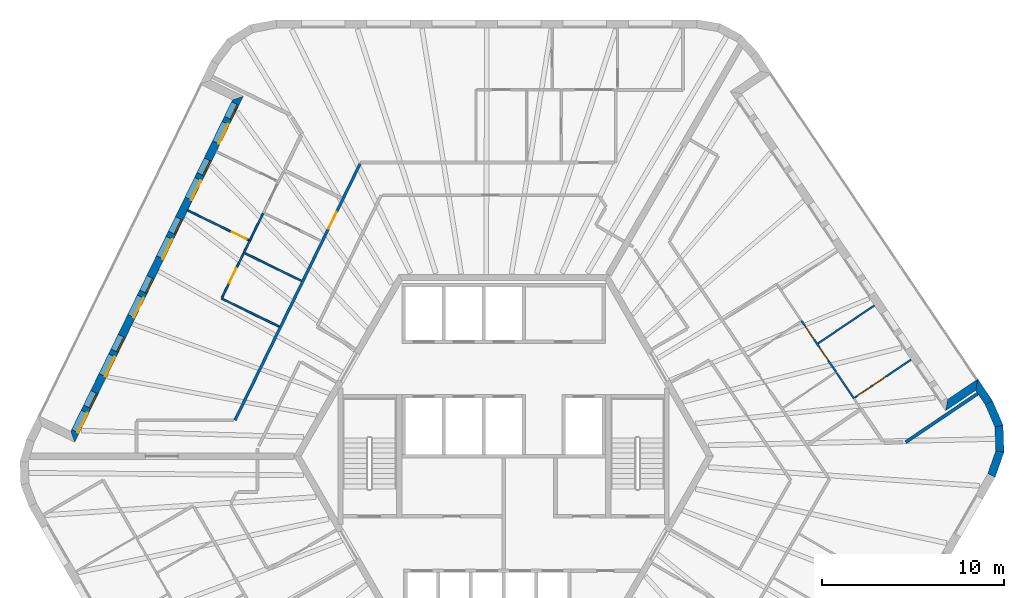
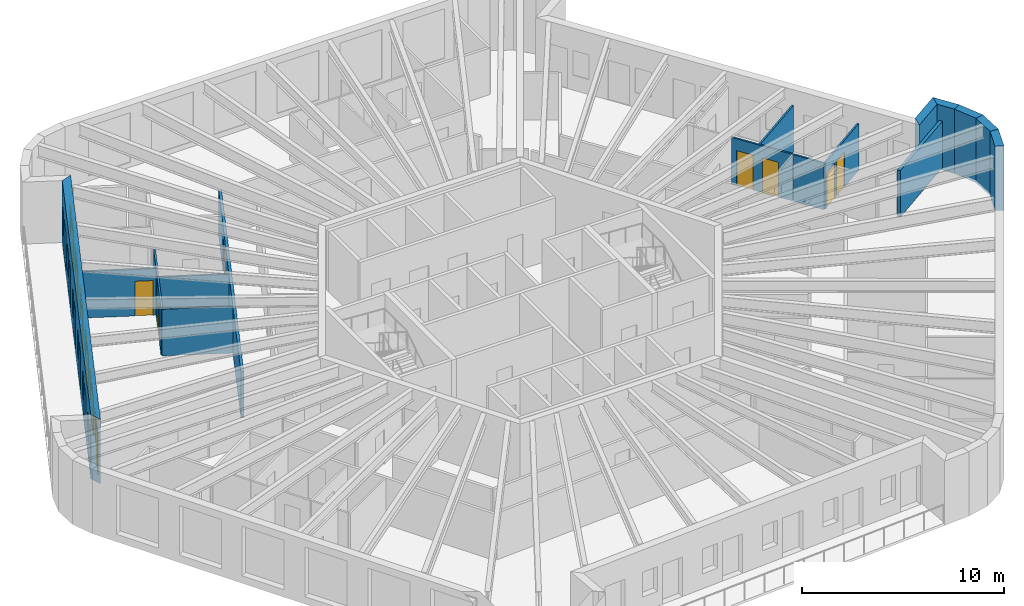
# One storey, part 7 of 11: 18 walls, 13 doors, 6 windows, 19 openings.
"""IFC4 building model written with IfcOpenShell, lengths in metres."""

from ifc_helpers import new_model, si_unit, direction, frame, frame_2d, origin, place, context, subcontext, project, spatial, polyline, rectangle, outline, extrude, material, layer, layer_set, type_object, element, fill, save


model = new_model("IFC4")

# Units and contexts
model_context = context("Model", 3, precision=1e-05, world=origin(), true_north=direction((0.0, 1.0)))
body_context = subcontext(model_context, "Body", "Model", "MODEL_VIEW")
ifc_project = project(units=[si_unit("LENGTHUNIT", "METRE"), si_unit("AREAUNIT", "SQUARE_METRE"), si_unit("VOLUMEUNIT", "CUBIC_METRE"), si_unit("PLANEANGLEUNIT", "RADIAN"), si_unit("MASSUNIT", "GRAM", prefix="KILO")], contexts=[model_context])

# Site, building, storey
site_placement = place(None, origin())
site = spatial("IfcSite", under=ifc_project, at=site_placement, CompositionType="ELEMENT")
building_placement = place(site_placement, origin())
building = spatial("IfcBuilding", under=site, at=building_placement, Name="Tarnside Tower", CompositionType="ELEMENT")
storey_placement = place(building_placement, frame((0.0, 0.0, 357.300048828125)))
storey = spatial("IfcBuildingStorey", under=building, at=storey_placement, Name="L86", CompositionType="ELEMENT", Elevation=357.300048828125)

# Walls
ifc_material_1 = material(Name="Gypsum board partition on steel studs", Category="steel")
ifc_layer_1 = layer(ifc_material_1, 0.10009765625)
ifc_layer_set_1 = layer_set([ifc_layer_1], Name="Bathroom wall 100")
wall_type_1 = type_object("IfcWallType", Name="Bathroom wall 100", PredefinedType="PARTITIONING", material=ifc_layer_set_1)
wall_1_placement = place(storey_placement, frame((-14.291259765625, 11.189208984375, 0.0), z_axis=(0.0, 0.0, 1.0), x_axis=(0.438105837585, 0.898923397779, 0.0)))
element("IfcWall", 1, at=wall_1_placement, inside=storey, type_object=wall_type_1, Name="Bathroom wall 27083", PredefinedType="PARTITIONING", context=body_context, shape_type="SweptSolid", body=[
    extrude(rectangle(XDim=0.74169921875, YDim=0.10009765625, at=frame_2d((0.370849609375, 0.0))), origin(), (0.0, 0.0, 1.0), 2.820068359375),
])
wall_2_placement = place(storey_placement, frame((-13.23828125, 13.34814453125, 0.0), z_axis=(0.0, 0.0, 1.0), x_axis=(-0.438380229518, -0.898789616299, 0.0)))
element("IfcWall", 2, at=wall_2_placement, inside=storey, type_object=wall_type_1, Name="Bathroom wall 27090", PredefinedType="PARTITIONING", context=body_context, shape_type="SweptSolid", body=[
    extrude(rectangle(XDim=1.662353515625, YDim=0.10009765625, at=frame_2d((0.8310546875, 0.0))), origin(), (0.0, 0.0, 1.0), 2.820068359375),
])
wall_3_placement = place(storey_placement, frame((-14.246337890625, 11.167236328125, 0.0), z_axis=(0.0, 0.0, 1.0), x_axis=(0.89880963085, -0.438339192283, 0.0)))
element("IfcWall", 3, at=wall_3_placement, inside=storey, type_object=wall_type_1, Name="Bathroom wall 27091", PredefinedType="PARTITIONING", context=body_context, shape_type="SweptSolid", body=[
    extrude(rectangle(XDim=3.474853515625, YDim=0.10009765625, at=frame_2d((1.7373046875, 0.0))), origin(), (0.0, 0.0, 1.0), 2.820068359375),
])
wall_4_placement = place(storey_placement, frame((19.262451171875, 3.184326171875, 0.0), z_axis=(0.0, 0.0, 1.0), x_axis=(-0.559155511525, 0.829062792514, 0.0)))
element("IfcWall", 4, at=wall_4_placement, inside=storey, type_object=wall_type_1, Name="Bathroom wall 27127", PredefinedType="PARTITIONING", context=body_context, shape_type="SweptSolid", body=[
    extrude(rectangle(XDim=1.69140625, YDim=0.10009765625, at=frame_2d((0.845703125, 0.0))), origin(), (0.0, 0.0, 1.0), 2.820068359375),
])

# Wall, opening, door
ifc_layer_2 = layer(ifc_material_1, 0.14990234375)
ifc_layer_set_2 = layer_set([ifc_layer_2], Name="Corridor wall 150 EI 60")
wall_type_2 = type_object("IfcWallType", Name="Corridor wall 150 EI 60", PredefinedType="PARTITIONING", material=ifc_layer_set_2)
wall_5_placement = place(storey_placement, frame((-7.903076171875, 16.074951171875, 0.0), z_axis=(0.0, 0.0, 1.0), x_axis=(-0.438364761272, -0.898797160696, 0.0)))
wall_5 = element("IfcWall", 5, at=wall_5_placement, inside=storey, type_object=wall_type_2, Name="Corridor wall 27002", PredefinedType="PARTITIONING", context=body_context, shape_type="SweptSolid", body=[
    extrude(rectangle(XDim=15.687744140625, YDim=0.14990234375, at=frame_2d((7.84375, 0.0))), origin(), (0.0, 0.0, 1.0), 2.820068359375),
])
opening_1_placement = place(wall_5_placement, frame((2.941650390625, 0.0, 0.0)))
opening_1 = element("IfcOpeningElement", 6, at=opening_1_placement, cuts=wall_5, Name="Opening D-E1", PredefinedType="OPENING", context=body_context, shape_type="SweptSolid", body=[
    extrude(rectangle(XDim=1.0, YDim=2.10009765625, at=frame_2d((0.5, 1.050048828125))), frame((0.0, 0.0849609375, 0.0), z_axis=(0.0, -1.0, 0.0), x_axis=(1.0, 0.0, 0.0)), (0.0, 0.0, 1.0), 0.169921875),
])
ifc_material_2 = material(Name="Timber door leaf", Category="wood")
door_type_1 = type_object("IfcDoorType", Name="Unit entrance door 1000 FD30S", OperationType="NOTDEFINED", PredefinedType="DOOR", material=ifc_material_2)
door_1_placement = place(opening_1_placement, origin())
door_1 = element("IfcDoor", 7, at=door_1_placement, inside=storey, type_object=door_type_1, Name="Unit door 27011", OperationType="SINGLE_SWING_LEFT", OverallHeight=2.10009765625, OverallWidth=1.0, PredefinedType="DOOR", context=body_context, shape_type="SweptSolid", body=[
    extrude(rectangle(XDim=1.0, YDim=2.10009765625, at=frame_2d((0.5, 1.050048828125))), frame((0.0, 0.02490234375, 0.0), z_axis=(0.0, -1.0, 0.0), x_axis=(1.0, 0.0, 0.0)), (0.0, 0.0, 1.0), 0.050048828125),
])
fill(opening_1, door_1)

# Wall
ifc_layer_3 = layer(ifc_material_1, 0.179931640625)
ifc_layer_set_3 = layer_set([ifc_layer_3], Name="Demising wall 180 EI 60")
wall_type_3 = type_object("IfcWallType", Name="Demising wall 180 EI 60", PredefinedType="PARTITIONING", material=ifc_layer_set_3)
wall_6_placement = place(storey_placement, frame((26.083984375, 3.443115234375, 0.0), z_axis=(0.0, 0.0, 1.0), x_axis=(-0.829033545972, -0.559198873079, 0.0)))
element("IfcWall", 8, at=wall_6_placement, inside=storey, type_object=wall_type_3, Name="Demising wall 27110", PredefinedType="PARTITIONING", context=body_context, shape_type="SweptSolid", body=[
    extrude(rectangle(XDim=4.775390625, YDim=0.179931640625, at=frame_2d((2.3876953125, 0.0))), origin(), (0.0, 0.0, 1.0), 2.820068359375),
])

# Wall, openings, doors, windows
ifc_material_3 = material(Name="Dark zinc cladding")
ifc_layer_4 = layer(ifc_material_3, 0.10205078125)
ifc_material_4 = material(Name="Concrete C60/75 precast", Category="concrete")
ifc_layer_5 = layer(ifc_material_4, 0.248046875)
ifc_material_5 = material(Name="Mineral wool insulation")
ifc_layer_6 = layer(ifc_material_5, 0.10009765625)
ifc_layer_set_4 = layer_set([ifc_layer_4, ifc_layer_5, ifc_layer_6], Name="Loggia wall 450 zinc faced")
wall_type_4 = type_object("IfcWallType", Name="Loggia wall 450 zinc faced", PredefinedType="SOLIDWALL", material=ifc_layer_set_4)
wall_7_placement = place(storey_placement, frame((-14.618896484375, 19.699462890625, -0.150146484375), z_axis=(0.0, 0.0, 1.0), x_axis=(-0.438373747484, -0.898792777851, 0.0)))
wall_7 = element("IfcWall", 9, at=wall_7_placement, inside=storey, type_object=wall_type_4, Name="Tube wall L86 F2 back 06", PredefinedType="SOLIDWALL", context=body_context, shape_type="SweptSolid", body=[
    extrude(outline(polyline([(0.224853515625, -0.22509765625), (20.50634765625, -0.22509765625), (20.95654296875, 0.22509765625), (-0.224853515625, 0.22509765625), (0.224853515625, -0.22509765625)])), origin(), (0.0, 0.0, 1.0), 3.900146484375),
])
opening_2_placement = place(wall_7_placement, frame((0.324951171875, 0.0, 1.050048828125)))
opening_2 = element("IfcOpeningElement", 10, at=opening_2_placement, cuts=wall_7, Name="Opening WL450", PredefinedType="OPENING", context=body_context, shape_type="SweptSolid", body=[
    extrude(rectangle(XDim=0.89990234375, YDim=1.5, at=frame_2d((0.449951171875, 0.75))), frame((0.0, 0.23486328125, 0.0), z_axis=(0.0, -1.0, 0.0), x_axis=(1.0, 0.0, 0.0)), (0.0, 0.0, 1.0), 0.469970703125),
])
opening_3_placement = place(wall_7_placement, frame((1.52490234375, 0.0, 0.14990234375)))
opening_3 = element("IfcOpeningElement", 11, at=opening_3_placement, cuts=wall_7, Name="Opening DB450", PredefinedType="OPENING", context=body_context, shape_type="SweptSolid", body=[
    extrude(rectangle(XDim=1.199951171875, YDim=2.39990234375, at=frame_2d((0.60009765625, 1.199951171875))), frame((0.0, 0.23486328125, 0.0), z_axis=(0.0, -1.0, 0.0), x_axis=(1.0, 0.0, 0.0)), (0.0, 0.0, 1.0), 0.469970703125),
])
opening_4_placement = place(wall_7_placement, frame((3.765869140625, 0.0, 1.050048828125)))
opening_4 = element("IfcOpeningElement", 12, at=opening_4_placement, cuts=wall_7, Name="Opening WL450", PredefinedType="OPENING", context=body_context, shape_type="SweptSolid", body=[
    extrude(rectangle(XDim=0.89990234375, YDim=1.5, at=frame_2d((0.449951171875, 0.75))), frame((0.0, 0.23486328125, 0.0), z_axis=(0.0, -1.0, 0.0), x_axis=(1.0, 0.0, 0.0)), (0.0, 0.0, 1.0), 0.469970703125),
])
opening_5_placement = place(wall_7_placement, frame((4.9658203125, 0.0, 0.14990234375)))
opening_5 = element("IfcOpeningElement", 13, at=opening_5_placement, cuts=wall_7, Name="Opening DB450", PredefinedType="OPENING", context=body_context, shape_type="SweptSolid", body=[
    extrude(rectangle(XDim=1.199951171875, YDim=2.39990234375, at=frame_2d((0.60009765625, 1.199951171875))), frame((0.0, 0.23486328125, 0.0), z_axis=(0.0, -1.0, 0.0), x_axis=(1.0, 0.0, 0.0)), (0.0, 0.0, 1.0), 0.469970703125),
])
opening_6_placement = place(wall_7_placement, frame((7.36572265625, 0.0, 1.050048828125)))
opening_6 = element("IfcOpeningElement", 14, at=opening_6_placement, cuts=wall_7, Name="Opening WL450", PredefinedType="OPENING", context=body_context, shape_type="SweptSolid", body=[
    extrude(rectangle(XDim=0.89990234375, YDim=1.5, at=frame_2d((0.449951171875, 0.75))), frame((0.0, 0.23486328125, 0.0), z_axis=(0.0, -1.0, 0.0), x_axis=(1.0, 0.0, 0.0)), (0.0, 0.0, 1.0), 0.469970703125),
])
opening_7_placement = place(wall_7_placement, frame((8.56591796875, 0.0, 0.14990234375)))
opening_7 = element("IfcOpeningElement", 15, at=opening_7_placement, cuts=wall_7, Name="Opening DB450", PredefinedType="OPENING", context=body_context, shape_type="SweptSolid", body=[
    extrude(rectangle(XDim=1.199951171875, YDim=2.39990234375, at=frame_2d((0.60009765625, 1.199951171875))), frame((0.0, 0.23486328125, 0.0), z_axis=(0.0, -1.0, 0.0), x_axis=(1.0, 0.0, 0.0)), (0.0, 0.0, 1.0), 0.469970703125),
])
opening_8_placement = place(wall_7_placement, frame((10.9658203125, 0.0, 1.050048828125)))
opening_8 = element("IfcOpeningElement", 16, at=opening_8_placement, cuts=wall_7, Name="Opening WL450", PredefinedType="OPENING", context=body_context, shape_type="SweptSolid", body=[
    extrude(rectangle(XDim=0.89990234375, YDim=1.5, at=frame_2d((0.449951171875, 0.75))), frame((0.0, 0.23486328125, 0.0), z_axis=(0.0, -1.0, 0.0), x_axis=(1.0, 0.0, 0.0)), (0.0, 0.0, 1.0), 0.469970703125),
])
opening_9_placement = place(wall_7_placement, frame((12.165771484375, 0.0, 0.14990234375)))
opening_9 = element("IfcOpeningElement", 17, at=opening_9_placement, cuts=wall_7, Name="Opening DB450", PredefinedType="OPENING", context=body_context, shape_type="SweptSolid", body=[
    extrude(rectangle(XDim=1.199951171875, YDim=2.39990234375, at=frame_2d((0.60009765625, 1.199951171875))), frame((0.0, 0.23486328125, 0.0), z_axis=(0.0, -1.0, 0.0), x_axis=(1.0, 0.0, 0.0)), (0.0, 0.0, 1.0), 0.469970703125),
])
opening_10_placement = place(wall_7_placement, frame((14.56591796875, 0.0, 1.050048828125)))
opening_10 = element("IfcOpeningElement", 18, at=opening_10_placement, cuts=wall_7, Name="Opening WL450", PredefinedType="OPENING", context=body_context, shape_type="SweptSolid", body=[
    extrude(rectangle(XDim=0.89990234375, YDim=1.5, at=frame_2d((0.449951171875, 0.75))), frame((0.0, 0.23486328125, 0.0), z_axis=(0.0, -1.0, 0.0), x_axis=(1.0, 0.0, 0.0)), (0.0, 0.0, 1.0), 0.469970703125),
])
opening_11_placement = place(wall_7_placement, frame((15.765869140625, 0.0, 0.14990234375)))
opening_11 = element("IfcOpeningElement", 19, at=opening_11_placement, cuts=wall_7, Name="Opening DB450", PredefinedType="OPENING", context=body_context, shape_type="SweptSolid", body=[
    extrude(rectangle(XDim=1.199951171875, YDim=2.39990234375, at=frame_2d((0.60009765625, 1.199951171875))), frame((0.0, 0.23486328125, 0.0), z_axis=(0.0, -1.0, 0.0), x_axis=(1.0, 0.0, 0.0)), (0.0, 0.0, 1.0), 0.469970703125),
])
opening_12_placement = place(wall_7_placement, frame((18.006591796875, 0.0, 1.050048828125)))
opening_12 = element("IfcOpeningElement", 20, at=opening_12_placement, cuts=wall_7, Name="Opening WL450", PredefinedType="OPENING", context=body_context, shape_type="SweptSolid", body=[
    extrude(rectangle(XDim=0.89990234375, YDim=1.5, at=frame_2d((0.449951171875, 0.75))), frame((0.0, 0.23486328125, 0.0), z_axis=(0.0, -1.0, 0.0), x_axis=(1.0, 0.0, 0.0)), (0.0, 0.0, 1.0), 0.469970703125),
])
opening_13_placement = place(wall_7_placement, frame((19.20654296875, 0.0, 0.14990234375)))
opening_13 = element("IfcOpeningElement", 21, at=opening_13_placement, cuts=wall_7, Name="Opening DB450", PredefinedType="OPENING", context=body_context, shape_type="SweptSolid", body=[
    extrude(rectangle(XDim=1.199951171875, YDim=2.39990234375, at=frame_2d((0.60009765625, 1.199951171875))), frame((0.0, 0.23486328125, 0.0), z_axis=(0.0, -1.0, 0.0), x_axis=(1.0, 0.0, 0.0)), (0.0, 0.0, 1.0), 0.469970703125),
])
ifc_material_6 = material(Name="Aluminium-framed double glazing", Category="aluminium")
door_type_2 = type_object("IfcDoorType", Name="Balcony sliding door 1200 x 2400 in 450 wall", OperationType="SLIDING_TO_LEFT", PredefinedType="DOOR", material=ifc_material_6)
door_2_placement = place(opening_3_placement, frame((0.0, 0.150146484375, 0.0)))
door_2 = element("IfcDoor", 22, at=door_2_placement, inside=storey, type_object=door_type_2, Name="E.BD.L86.F2.00", OperationType="SLIDING_TO_LEFT", OverallHeight=2.39990234375, OverallWidth=1.199951171875, PredefinedType="DOOR", context=body_context, shape_type="SweptSolid", body=[
    extrude(rectangle(XDim=1.199951171875, YDim=2.39990234375, at=frame_2d((0.60009765625, 1.199951171875))), frame((0.0, 0.02490234375, 0.0), z_axis=(0.0, -1.0, 0.0), x_axis=(1.0, 0.0, 0.0)), (0.0, 0.0, 1.0), 0.050048828125),
])
fill(opening_3, door_2)
door_3_placement = place(opening_5_placement, frame((0.0, 0.150146484375, 0.0)))
door_3 = element("IfcDoor", 23, at=door_3_placement, inside=storey, type_object=door_type_2, Name="E.BD.L86.F2.01", OperationType="SLIDING_TO_LEFT", OverallHeight=2.39990234375, OverallWidth=1.199951171875, PredefinedType="DOOR", context=body_context, shape_type="SweptSolid", body=[
    extrude(rectangle(XDim=1.199951171875, YDim=2.39990234375, at=frame_2d((0.60009765625, 1.199951171875))), frame((0.0, 0.02490234375, 0.0), z_axis=(0.0, -1.0, 0.0), x_axis=(1.0, 0.0, 0.0)), (0.0, 0.0, 1.0), 0.050048828125),
])
fill(opening_5, door_3)
door_4_placement = place(opening_7_placement, frame((0.0, 0.150146484375, 0.0)))
door_4 = element("IfcDoor", 24, at=door_4_placement, inside=storey, type_object=door_type_2, Name="E.BD.L86.F2.02", OperationType="SLIDING_TO_LEFT", OverallHeight=2.39990234375, OverallWidth=1.199951171875, PredefinedType="DOOR", context=body_context, shape_type="SweptSolid", body=[
    extrude(rectangle(XDim=1.199951171875, YDim=2.39990234375, at=frame_2d((0.60009765625, 1.199951171875))), frame((0.0, 0.02490234375, 0.0), z_axis=(0.0, -1.0, 0.0), x_axis=(1.0, 0.0, 0.0)), (0.0, 0.0, 1.0), 0.050048828125),
])
fill(opening_7, door_4)
door_5_placement = place(opening_9_placement, frame((0.0, 0.150146484375, 0.0)))
door_5 = element("IfcDoor", 25, at=door_5_placement, inside=storey, type_object=door_type_2, Name="E.BD.L86.F2.03", OperationType="SLIDING_TO_LEFT", OverallHeight=2.39990234375, OverallWidth=1.199951171875, PredefinedType="DOOR", context=body_context, shape_type="SweptSolid", body=[
    extrude(rectangle(XDim=1.199951171875, YDim=2.39990234375, at=frame_2d((0.60009765625, 1.199951171875))), frame((0.0, 0.02490234375, 0.0), z_axis=(0.0, -1.0, 0.0), x_axis=(1.0, 0.0, 0.0)), (0.0, 0.0, 1.0), 0.050048828125),
])
fill(opening_9, door_5)
door_6_placement = place(opening_11_placement, frame((0.0, 0.150146484375, 0.0)))
door_6 = element("IfcDoor", 26, at=door_6_placement, inside=storey, type_object=door_type_2, Name="E.BD.L86.F2.04", OperationType="SLIDING_TO_LEFT", OverallHeight=2.39990234375, OverallWidth=1.199951171875, PredefinedType="DOOR", context=body_context, shape_type="SweptSolid", body=[
    extrude(rectangle(XDim=1.199951171875, YDim=2.39990234375, at=frame_2d((0.60009765625, 1.199951171875))), frame((0.0, 0.02490234375, 0.0), z_axis=(0.0, -1.0, 0.0), x_axis=(1.0, 0.0, 0.0)), (0.0, 0.0, 1.0), 0.050048828125),
])
fill(opening_11, door_6)
door_7_placement = place(opening_13_placement, frame((0.0, 0.150146484375, 0.0)))
door_7 = element("IfcDoor", 27, at=door_7_placement, inside=storey, type_object=door_type_2, Name="E.BD.L86.F2.05", OperationType="SLIDING_TO_LEFT", OverallHeight=2.39990234375, OverallWidth=1.199951171875, PredefinedType="DOOR", context=body_context, shape_type="SweptSolid", body=[
    extrude(rectangle(XDim=1.199951171875, YDim=2.39990234375, at=frame_2d((0.60009765625, 1.199951171875))), frame((0.0, 0.02490234375, 0.0), z_axis=(0.0, -1.0, 0.0), x_axis=(1.0, 0.0, 0.0)), (0.0, 0.0, 1.0), 0.050048828125),
])
fill(opening_13, door_7)
window_type = type_object("IfcWindowType", Name="Loggia window 900 x 1500 in 450 wall", PartitioningType="SINGLE_PANEL", PredefinedType="WINDOW", material=ifc_material_6)
window_1_placement = place(opening_2_placement, frame((0.0, 0.1552734375, 0.0)))
window_1 = element("IfcWindow", 28, at=window_1_placement, inside=storey, type_object=window_type, Name="E.LW.L86.F2.00", OverallHeight=1.5, OverallWidth=0.89990234375, PartitioningType="SINGLE_PANEL", PredefinedType="WINDOW", context=body_context, shape_type="SweptSolid", body=[
    extrude(rectangle(XDim=0.89990234375, YDim=1.5, at=frame_2d((0.449951171875, 0.75))), frame((0.0, 0.030029296875, 0.0), z_axis=(0.0, -1.0, 0.0), x_axis=(1.0, 0.0, 0.0)), (0.0, 0.0, 1.0), 0.06005859375),
])
fill(opening_2, window_1)
window_2_placement = place(opening_4_placement, frame((0.0, 0.1552734375, 0.0)))
window_2 = element("IfcWindow", 29, at=window_2_placement, inside=storey, type_object=window_type, Name="E.LW.L86.F2.01", OverallHeight=1.5, OverallWidth=0.89990234375, PartitioningType="SINGLE_PANEL", PredefinedType="WINDOW", context=body_context, shape_type="SweptSolid", body=[
    extrude(rectangle(XDim=0.89990234375, YDim=1.5, at=frame_2d((0.449951171875, 0.75))), frame((0.0, 0.030029296875, 0.0), z_axis=(0.0, -1.0, 0.0), x_axis=(1.0, 0.0, 0.0)), (0.0, 0.0, 1.0), 0.06005859375),
])
fill(opening_4, window_2)
window_3_placement = place(opening_6_placement, frame((0.0, 0.1552734375, 0.0)))
window_3 = element("IfcWindow", 30, at=window_3_placement, inside=storey, type_object=window_type, Name="E.LW.L86.F2.02", OverallHeight=1.5, OverallWidth=0.89990234375, PartitioningType="SINGLE_PANEL", PredefinedType="WINDOW", context=body_context, shape_type="SweptSolid", body=[
    extrude(rectangle(XDim=0.89990234375, YDim=1.5, at=frame_2d((0.449951171875, 0.75))), frame((0.0, 0.030029296875, 0.0), z_axis=(0.0, -1.0, 0.0), x_axis=(1.0, 0.0, 0.0)), (0.0, 0.0, 1.0), 0.06005859375),
])
fill(opening_6, window_3)
window_4_placement = place(opening_8_placement, frame((0.0, 0.1552734375, 0.0)))
window_4 = element("IfcWindow", 31, at=window_4_placement, inside=storey, type_object=window_type, Name="E.LW.L86.F2.03", OverallHeight=1.5, OverallWidth=0.89990234375, PartitioningType="SINGLE_PANEL", PredefinedType="WINDOW", context=body_context, shape_type="SweptSolid", body=[
    extrude(rectangle(XDim=0.89990234375, YDim=1.5, at=frame_2d((0.449951171875, 0.75))), frame((0.0, 0.030029296875, 0.0), z_axis=(0.0, -1.0, 0.0), x_axis=(1.0, 0.0, 0.0)), (0.0, 0.0, 1.0), 0.06005859375),
])
fill(opening_8, window_4)
window_5_placement = place(opening_10_placement, frame((0.0, 0.1552734375, 0.0)))
window_5 = element("IfcWindow", 32, at=window_5_placement, inside=storey, type_object=window_type, Name="E.LW.L86.F2.04", OverallHeight=1.5, OverallWidth=0.89990234375, PartitioningType="SINGLE_PANEL", PredefinedType="WINDOW", context=body_context, shape_type="SweptSolid", body=[
    extrude(rectangle(XDim=0.89990234375, YDim=1.5, at=frame_2d((0.449951171875, 0.75))), frame((0.0, 0.030029296875, 0.0), z_axis=(0.0, -1.0, 0.0), x_axis=(1.0, 0.0, 0.0)), (0.0, 0.0, 1.0), 0.06005859375),
])
fill(opening_10, window_5)
window_6_placement = place(opening_12_placement, frame((0.0, 0.1552734375, 0.0)))
window_6 = element("IfcWindow", 33, at=window_6_placement, inside=storey, type_object=window_type, Name="E.LW.L86.F2.05", OverallHeight=1.5, OverallWidth=0.89990234375, PartitioningType="SINGLE_PANEL", PredefinedType="WINDOW", context=body_context, shape_type="SweptSolid", body=[
    extrude(rectangle(XDim=0.89990234375, YDim=1.5, at=frame_2d((0.449951171875, 0.75))), frame((0.0, 0.030029296875, 0.0), z_axis=(0.0, -1.0, 0.0), x_axis=(1.0, 0.0, 0.0)), (0.0, 0.0, 1.0), 0.06005859375),
])
fill(opening_12, window_6)

# Walls
wall_8_placement = place(storey_placement, frame((26.69873046875, 2.93408203125, -0.150146484375), z_axis=(0.0, 0.0, 1.0), x_axis=(-0.559105892217, 0.829096255744, 0.0)))
element("IfcWall", 34, at=wall_8_placement, inside=storey, type_object=wall_type_4, Name="Tube wall L86 F6 stub 28", PredefinedType="SOLIDWALL", context=body_context, shape_type="SweptSolid", body=[
    extrude(outline(polyline([(-0.02099609375, -0.22509765625), (1.4248046875, -0.22509765625), (0.97509765625, 0.22509765625), (0.02099609375, 0.22509765625), (-0.02099609375, -0.22509765625)])), origin(), (0.0, 0.0, 1.0), 3.900146484375),
])
wall_9_placement = place(storey_placement, frame((26.02783203125, 3.928955078125, -0.150146484375), z_axis=(0.0, 0.0, 1.0), x_axis=(-0.829052389485, -0.559170935841, 0.0)))
element("IfcWall", 35, at=wall_9_placement, inside=storey, type_object=wall_type_4, Name="Tube wall L86 F6 return 29", PredefinedType="SOLIDWALL", context=body_context, shape_type="SweptSolid", body=[
    extrude(outline(polyline([(-0.224853515625, -0.22509765625), (1.77490234375, -0.22509765625), (2.22509765625, 0.22509765625), (0.224853515625, 0.22509765625), (-0.224853515625, -0.22509765625)])), origin(), (0.0, 0.0, 1.0), 3.900146484375),
])

# Wall, opening, door
ifc_layer_7 = layer(ifc_material_1, 0.10009765625)
ifc_layer_set_5 = layer_set([ifc_layer_7], Name="Partition 100")
wall_type_5 = type_object("IfcWallType", Name="Partition 100", PredefinedType="PARTITIONING", material=ifc_layer_set_5)
wall_10_placement = place(storey_placement, frame((-14.011962890625, 11.8759765625, 0.0), z_axis=(0.0, 0.0, 1.0), x_axis=(-0.898810362659, 0.438337691713, 0.0)))
wall_10 = element("IfcWall", 36, at=wall_10_placement, inside=storey, type_object=wall_type_5, Name="Partition wall 27084", PredefinedType="PARTITIONING", context=body_context, shape_type="SweptSolid", body=[
    extrude(rectangle(XDim=3.75, YDim=0.10009765625, at=frame_2d((1.875, 0.0))), origin(), (0.0, 0.0, 1.0), 2.820068359375),
])
opening_14_placement = place(wall_10_placement, frame((0.14990234375, 0.0, 0.0)))
opening_14 = element("IfcOpeningElement", 37, at=opening_14_placement, cuts=wall_10, Name="Opening D-I1", PredefinedType="OPENING", context=body_context, shape_type="SweptSolid", body=[
    extrude(rectangle(XDim=0.89990234375, YDim=2.10009765625, at=frame_2d((0.449951171875, 1.050048828125))), frame((0.0, 0.06005859375, 0.0), z_axis=(0.0, -1.0, 0.0), x_axis=(1.0, 0.0, 0.0)), (0.0, 0.0, 1.0), 0.1201171875),
])
door_type_3 = type_object("IfcDoorType", Name="Internal door 900", OperationType="NOTDEFINED", PredefinedType="DOOR", material=ifc_material_2)
door_8_placement = place(opening_14_placement, origin())
door_8 = element("IfcDoor", 38, at=door_8_placement, inside=storey, type_object=door_type_3, Name="Internal door 27020", OperationType="SINGLE_SWING_RIGHT", OverallHeight=2.10009765625, OverallWidth=0.89990234375, PredefinedType="DOOR", context=body_context, shape_type="SweptSolid", body=[
    extrude(rectangle(XDim=0.89990234375, YDim=2.10009765625, at=frame_2d((0.449951171875, 1.050048828125))), frame((0.0, 0.02490234375, 0.0), z_axis=(0.0, -1.0, 0.0), x_axis=(1.0, 0.0, 0.0)), (0.0, 0.0, 1.0), 0.050048828125),
])
fill(opening_14, door_8)

# Wall
wall_11_placement = place(storey_placement, frame((-12.3505859375, 7.12744140625, 0.0), z_axis=(0.0, 0.0, 1.0), x_axis=(-0.898802391248, 0.438354036696, 0.0)))
element("IfcWall", 39, at=wall_11_placement, inside=storey, type_object=wall_type_5, Name="Partition wall 27085", PredefinedType="PARTITIONING", context=body_context, shape_type="SweptSolid", body=[
    extrude(rectangle(XDim=3.52490234375, YDim=0.10009765625, at=frame_2d((1.762451171875, 0.0))), origin(), (0.0, 0.0, 1.0), 2.820068359375),
])

# Wall, opening, door
wall_12_placement = place(storey_placement, frame((-15.496826171875, 8.717529296875, 0.0), z_axis=(0.0, 0.0, 1.0), x_axis=(0.438366623032, 0.898796252669, 0.0)))
wall_12 = element("IfcWall", 40, at=wall_12_placement, inside=storey, type_object=wall_type_5, Name="Partition wall 27086", PredefinedType="PARTITIONING", context=body_context, shape_type="SweptSolid", body=[
    extrude(rectangle(XDim=2.699951171875, YDim=0.10009765625, at=frame_2d((1.35009765625, 0.0))), origin(), (0.0, 0.0, 1.0), 2.820068359375),
])
opening_15_placement = place(wall_12_placement, frame((0.89990234375, 0.0, 0.0)))
opening_15 = element("IfcOpeningElement", 41, at=opening_15_placement, cuts=wall_12, Name="Opening D-I1", PredefinedType="OPENING", context=body_context, shape_type="SweptSolid", body=[
    extrude(rectangle(XDim=0.89990234375, YDim=2.10009765625, at=frame_2d((0.449951171875, 1.050048828125))), frame((0.0, 0.06005859375, 0.0), z_axis=(0.0, -1.0, 0.0), x_axis=(1.0, 0.0, 0.0)), (0.0, 0.0, 1.0), 0.1201171875),
])
door_9_placement = place(opening_15_placement, origin())
door_9 = element("IfcDoor", 42, at=door_9_placement, inside=storey, type_object=door_type_3, Name="Internal door 27021", OperationType="SINGLE_SWING_RIGHT", OverallHeight=2.10009765625, OverallWidth=0.89990234375, PredefinedType="DOOR", context=body_context, shape_type="SweptSolid", body=[
    extrude(rectangle(XDim=0.89990234375, YDim=2.10009765625, at=frame_2d((0.449951171875, 1.050048828125))), frame((0.0, 0.02490234375, 0.0), z_axis=(0.0, -1.0, 0.0), x_axis=(1.0, 0.0, 0.0)), (0.0, 0.0, 1.0), 0.050048828125),
])
fill(opening_15, door_9)

# Wall, openings, doors
wall_13_placement = place(storey_placement, frame((18.290771484375, 4.625, 0.0), z_axis=(0.0, 0.0, 1.0), x_axis=(-0.55916115895, 0.82905898362, 0.0)))
wall_13 = element("IfcWall", 43, at=wall_13_placement, inside=storey, type_object=wall_type_5, Name="Partition wall 27123", PredefinedType="PARTITIONING", context=body_context, shape_type="SweptSolid", body=[
    extrude(rectangle(XDim=3.40380859375, YDim=0.10009765625, at=frame_2d((1.701904296875, 0.0))), origin(), (0.0, 0.0, 1.0), 2.820068359375),
])
opening_16_placement = place(wall_13_placement, frame((0.76220703125, 0.0, 0.0)))
opening_16 = element("IfcOpeningElement", 44, at=opening_16_placement, cuts=wall_13, Name="Opening D-I1", PredefinedType="OPENING", context=body_context, shape_type="SweptSolid", body=[
    extrude(rectangle(XDim=0.89990234375, YDim=2.10009765625, at=frame_2d((0.449951171875, 1.050048828125))), frame((0.0, 0.06005859375, 0.0), z_axis=(0.0, -1.0, 0.0), x_axis=(1.0, 0.0, 0.0)), (0.0, 0.0, 1.0), 0.1201171875),
])
opening_17_placement = place(wall_13_placement, frame((2.18212890625, 0.0, 0.0)))
opening_17 = element("IfcOpeningElement", 45, at=opening_17_placement, cuts=wall_13, Name="Opening D-I1", PredefinedType="OPENING", context=body_context, shape_type="SweptSolid", body=[
    extrude(rectangle(XDim=0.89990234375, YDim=2.10009765625, at=frame_2d((0.449951171875, 1.050048828125))), frame((0.0, 0.06005859375, 0.0), z_axis=(0.0, -1.0, 0.0), x_axis=(1.0, 0.0, 0.0)), (0.0, 0.0, 1.0), 0.1201171875),
])
door_10_placement = place(opening_16_placement, origin())
door_10 = element("IfcDoor", 46, at=door_10_placement, inside=storey, type_object=door_type_3, Name="Internal door 27048", OperationType="SINGLE_SWING_LEFT", OverallHeight=2.10009765625, OverallWidth=0.89990234375, PredefinedType="DOOR", context=body_context, shape_type="SweptSolid", body=[
    extrude(rectangle(XDim=0.89990234375, YDim=2.10009765625, at=frame_2d((0.449951171875, 1.050048828125))), frame((0.0, 0.02490234375, 0.0), z_axis=(0.0, -1.0, 0.0), x_axis=(1.0, 0.0, 0.0)), (0.0, 0.0, 1.0), 0.050048828125),
])
fill(opening_16, door_10)
door_11_placement = place(opening_17_placement, origin())
door_11 = element("IfcDoor", 47, at=door_11_placement, inside=storey, type_object=door_type_3, Name="Internal door 27055", OperationType="SINGLE_SWING_LEFT", OverallHeight=2.10009765625, OverallWidth=0.89990234375, PredefinedType="DOOR", context=body_context, shape_type="SweptSolid", body=[
    extrude(rectangle(XDim=0.89990234375, YDim=2.10009765625, at=frame_2d((0.449951171875, 1.050048828125))), frame((0.0, 0.02490234375, 0.0), z_axis=(0.0, -1.0, 0.0), x_axis=(1.0, 0.0, 0.0)), (0.0, 0.0, 1.0), 0.050048828125),
])
fill(opening_17, door_11)

wall_14_placement = place(storey_placement, frame((22.412841796875, 5.309326171875, 0.0), z_axis=(0.0, 0.0, 1.0), x_axis=(-0.829013169089, -0.559229081394, 0.0)))
wall_14 = element("IfcWall", 48, at=wall_14_placement, inside=storey, type_object=wall_type_5, Name="Partition wall 27128", PredefinedType="PARTITIONING", context=body_context, shape_type="SweptSolid", body=[
    extrude(rectangle(XDim=3.75, YDim=0.10009765625, at=frame_2d((1.875, 0.0))), origin(), (0.0, 0.0, 1.0), 2.820068359375),
])
opening_18_placement = place(wall_14_placement, frame((2.699951171875, 0.0, 0.0)))
opening_18 = element("IfcOpeningElement", 49, at=opening_18_placement, cuts=wall_14, Name="Opening D-I1", PredefinedType="OPENING", context=body_context, shape_type="SweptSolid", body=[
    extrude(rectangle(XDim=0.89990234375, YDim=2.10009765625, at=frame_2d((0.449951171875, 1.050048828125))), frame((0.0, 0.06005859375, 0.0), z_axis=(0.0, -1.0, 0.0), x_axis=(1.0, 0.0, 0.0)), (0.0, 0.0, 1.0), 0.1201171875),
])
opening_19_placement = place(wall_14_placement, frame((1.64990234375, 0.0, 0.0)))
opening_19 = element("IfcOpeningElement", 50, at=opening_19_placement, cuts=wall_14, Name="Opening D-I1", PredefinedType="OPENING", context=body_context, shape_type="SweptSolid", body=[
    extrude(rectangle(XDim=0.89990234375, YDim=2.10009765625, at=frame_2d((0.449951171875, 1.050048828125))), frame((0.0, 0.06005859375, 0.0), z_axis=(0.0, -1.0, 0.0), x_axis=(1.0, 0.0, 0.0)), (0.0, 0.0, 1.0), 0.1201171875),
])
door_12_placement = place(opening_18_placement, origin())
door_12 = element("IfcDoor", 51, at=door_12_placement, inside=storey, type_object=door_type_3, Name="Internal door 27051", OperationType="SINGLE_SWING_RIGHT", OverallHeight=2.10009765625, OverallWidth=0.89990234375, PredefinedType="DOOR", context=body_context, shape_type="SweptSolid", body=[
    extrude(rectangle(XDim=0.89990234375, YDim=2.10009765625, at=frame_2d((0.449951171875, 1.050048828125))), frame((0.0, 0.02490234375, 0.0), z_axis=(0.0, -1.0, 0.0), x_axis=(1.0, 0.0, 0.0)), (0.0, 0.0, 1.0), 0.050048828125),
])
fill(opening_18, door_12)
door_13_placement = place(opening_19_placement, origin())
door_13 = element("IfcDoor", 52, at=door_13_placement, inside=storey, type_object=door_type_3, Name="Internal door 27054", OperationType="SINGLE_SWING_LEFT", OverallHeight=2.10009765625, OverallWidth=0.89990234375, PredefinedType="DOOR", context=body_context, shape_type="SweptSolid", body=[
    extrude(rectangle(XDim=0.89990234375, YDim=2.10009765625, at=frame_2d((0.449951171875, 1.050048828125))), frame((0.0, 0.02490234375, 0.0), z_axis=(0.0, -1.0, 0.0), x_axis=(1.0, 0.0, 0.0)), (0.0, 0.0, 1.0), 0.050048828125),
])
fill(opening_19, door_13)

# Walls
wall_15_placement = place(storey_placement, frame((20.39990234375, 8.293701171875, 0.0), z_axis=(0.0, 0.0, 1.0), x_axis=(-0.829043350963, -0.559184336534, 0.0)))
element("IfcWall", 53, at=wall_15_placement, inside=storey, type_object=wall_type_5, Name="Partition wall 27129", PredefinedType="PARTITIONING", context=body_context, shape_type="SweptSolid", body=[
    extrude(rectangle(XDim=3.75, YDim=0.10009765625, at=frame_2d((1.875, 0.0))), origin(), (0.0, 0.0, 1.0), 2.820068359375),
])
ifc_material_7 = material(Name="Facing brick", Category="masonry")
ifc_layer_8 = layer(ifc_material_7, 0.10205078125)
ifc_layer_9 = layer(ifc_material_4, 0.248046875)
ifc_layer_10 = layer(ifc_material_5, 0.10009765625)
ifc_layer_set_6 = layer_set([ifc_layer_8, ifc_layer_9, ifc_layer_10], Name="Tube wall 450 brick faced")
wall_type_6 = type_object("IfcWallType", Name="Tube wall 450 brick faced", PredefinedType="SOLIDWALL", material=ifc_layer_set_6)
wall_16_placement = place(storey_placement, frame((26.83837890625, -1.064453125, -0.150146484375), z_axis=(0.0, 0.0, 1.0), x_axis=(0.331074067573, 0.943604769901, 0.0)))
element("IfcWall", 54, at=wall_16_placement, inside=storey, type_object=wall_type_6, Name="Tube wall L86 F5 chord 25", PredefinedType="SOLIDWALL", context=body_context, shape_type="SweptSolid", body=[
    extrude(outline(polyline([(-0.02099609375, -0.22509765625), (1.43994140625, -0.22509765625), (1.35498046875, 0.22509765625), (0.02099609375, 0.22509765625), (-0.02099609375, -0.22509765625)])), origin(), (0.0, 0.0, 1.0), 3.900146484375),
])
wall_17_placement = place(storey_placement, frame((27.301025390625, 0.254150390625, -0.150146484375), z_axis=(0.0, 0.0, 1.0), x_axis=(-0.034763104447, 0.999395580623, 0.0)))
element("IfcWall", 55, at=wall_17_placement, inside=storey, type_object=wall_type_6, Name="Tube wall L86 F5 chord 26", PredefinedType="SOLIDWALL", context=body_context, shape_type="SweptSolid", body=[
    extrude(outline(polyline([(-0.04248046875, -0.22509765625), (1.43994140625, -0.22509765625), (1.35498046875, 0.22509765625), (0.04248046875, 0.22509765625), (-0.04248046875, -0.22509765625)])), origin(), (0.0, 0.0, 1.0), 3.900146484375),
])
wall_18_placement = place(storey_placement, frame((27.25244140625, 1.65087890625, -0.150146484375), z_axis=(0.0, 0.0, 1.0), x_axis=(-0.396195073027, 0.918166359713, 0.0)))
element("IfcWall", 56, at=wall_18_placement, inside=storey, type_object=wall_type_6, Name="Tube wall L86 F5 chord 27", PredefinedType="SOLIDWALL", context=body_context, shape_type="SweptSolid", body=[
    extrude(outline(polyline([(-0.04248046875, -0.22509765625), (1.41845703125, -0.22509765625), (1.37646484375, 0.22509765625), (0.04248046875, 0.22509765625), (-0.04248046875, -0.22509765625)])), origin(), (0.0, 0.0, 1.0), 3.900146484375),
])

save(model, "model.ifc")
